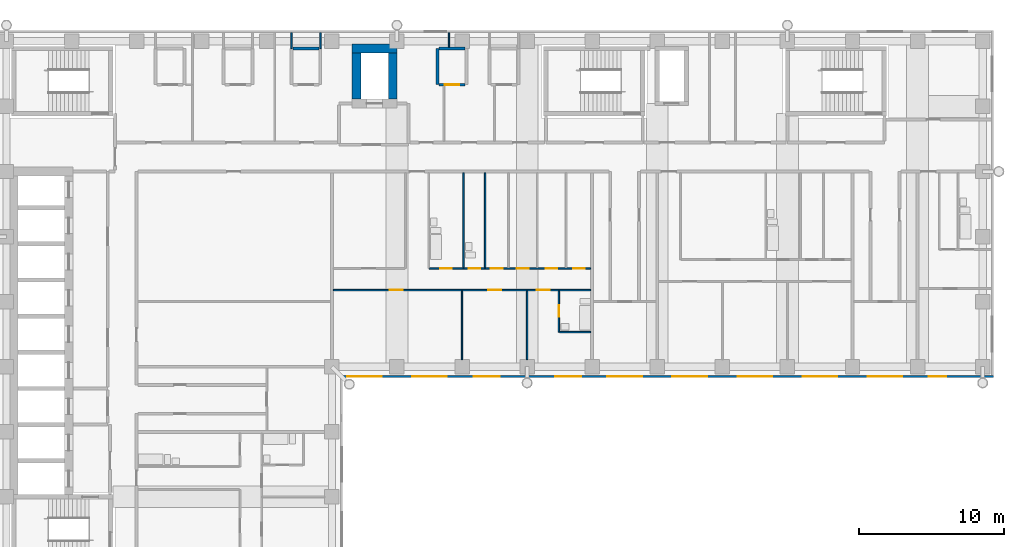
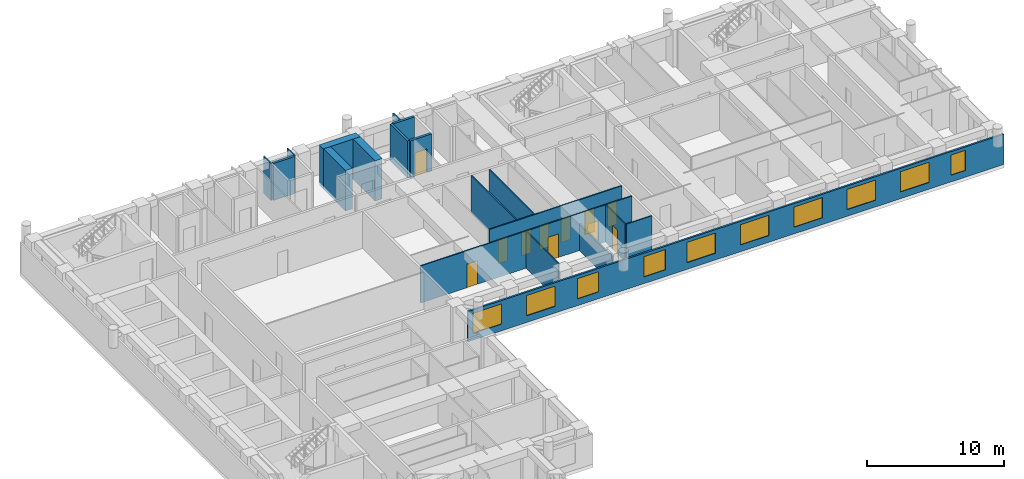
# One storey, part 8 of 14: 19 walls, 11 doors, 10 windows, 21 openings.
"""IFC4 building model written with IfcOpenShell, lengths in metres."""

from ifc_helpers import new_model, si_unit, direction, frame, frame_2d, origin, place, context, subcontext, project, spatial, rectangle, extrude, material, layer, layer_set, type_object, element, fill, save


model = new_model("IFC4")

# Units and contexts
model_context = context("Model", 3, precision=1e-05, world=origin(), true_north=direction((0.0, 1.0)))
body_context = subcontext(model_context, "Body", "Model", "MODEL_VIEW")
ifc_project = project(units=[si_unit("LENGTHUNIT", "METRE"), si_unit("AREAUNIT", "SQUARE_METRE"), si_unit("VOLUMEUNIT", "CUBIC_METRE"), si_unit("PLANEANGLEUNIT", "RADIAN"), si_unit("MASSUNIT", "GRAM", prefix="KILO")], contexts=[model_context])

# Site, building, storey
site_placement = place(None, origin())
site = spatial("IfcSite", under=ifc_project, at=site_placement, CompositionType="ELEMENT")
building_placement = place(site_placement, origin())
building = spatial("IfcBuilding", under=site, at=building_placement, Name="Firuza Court", CompositionType="ELEMENT")
storey_placement = place(building_placement, frame((0.0, 0.0, 159.199951171875)))
storey = spatial("IfcBuildingStorey", under=building, at=storey_placement, Name="L40", CompositionType="ELEMENT", Elevation=159.199951171875)

# Wall, opening, door
ifc_material_1 = material(Name="Moisture-resistant gypsum board partition")
ifc_layer_1 = layer(ifc_material_1, 0.10009765625)
ifc_layer_set_1 = layer_set([ifc_layer_1], Name="Moisture-resistant gypsum board partition")
wall_type_1 = type_object("IfcWallType", Name="Bathroom partition 100", PredefinedType="PLUMBINGWALL", material=ifc_layer_set_1)
wall_1_placement = place(storey_placement, frame((38.199951171875, 38.39990234375, 0.0), z_axis=(0.0, 0.0, 1.0), x_axis=(0.0, 1.0, 0.0)))
wall_1 = element("IfcWall", 1, at=wall_1_placement, inside=storey, type_object=wall_type_1, Name="Bathroom partition 100 L40", PredefinedType="PLUMBINGWALL", context=body_context, shape_type="SweptSolid", body=[
    extrude(rectangle(XDim=2.85009765625, YDim=0.10009765625, at=frame_2d((1.425048828125, 0.0))), origin(), (0.0, 0.0, 1.0), 3.300048828125),
])
opening_1_placement = place(wall_1_placement, frame((1.050048828125, 0.0, 0.0)))
opening_1 = element("IfcOpeningElement", 2, at=opening_1_placement, cuts=wall_1, Name="Opening D40039", PredefinedType="OPENING", context=body_context, shape_type="SweptSolid", body=[
    extrude(rectangle(XDim=0.800048828125, YDim=2.10009765625, at=frame_2d((0.39990234375, 1.050048828125))), frame((0.0, 0.06201171875, 0.0), z_axis=(0.0, -1.0, 0.0), x_axis=(1.0, 0.0, 0.0)), (0.0, 0.0, 1.0), 0.1240234375),
])
ifc_material_2 = material(Name="Timber door leaf in hardwood frame", Category="wood")
door_type_1 = type_object("IfcDoorType", Name="Bathroom door 800", OperationType="SINGLE_SWING_LEFT", PredefinedType="DOOR", material=ifc_material_2)
door_1_placement = place(opening_1_placement, frame((0.800048828125, 0.0, 0.0), z_axis=(0.0, 0.0, 1.0), x_axis=(-1.0, 0.0, 0.0)))
door_1 = element("IfcDoor", 3, at=door_1_placement, inside=storey, type_object=door_type_1, Name="En-suite door", OperationType="SINGLE_SWING_RIGHT", OverallHeight=2.10009765625, OverallWidth=0.800048828125, PredefinedType="DOOR", context=body_context, shape_type="SweptSolid", body=[
    extrude(rectangle(XDim=0.800048828125, YDim=2.10009765625, at=frame_2d((0.39990234375, 1.050048828125))), frame((0.0, 0.02490234375, 0.0), z_axis=(0.0, -1.0, 0.0), x_axis=(1.0, 0.0, 0.0)), (0.0, 0.0, 1.0), 0.050048828125),
])
fill(opening_1, door_1)

# Walls
wall_2_placement = place(storey_placement, frame((38.25, 38.39990234375, 0.0), z_axis=(0.0, 0.0, 1.0), x_axis=(1.0, 0.0, 0.0)))
element("IfcWall", 4, at=wall_2_placement, inside=storey, type_object=wall_type_1, Name="Bathroom partition 100 L40", PredefinedType="PLUMBINGWALL", context=body_context, shape_type="SweptSolid", body=[
    extrude(rectangle(XDim=2.14990234375, YDim=0.10009765625, at=frame_2d((1.074951171875, 0.0))), origin(), (0.0, 0.0, 1.0), 3.300048828125),
])
for number, where, z_axis, x_axis, name in (
    (5, (31.60009765625, 42.85009765625, 0.0), (0.0, 0.0, 1.0), (0.0, 1.0, 0.0), "Bathroom partition 100 L40"),
    (6, (33.10009765625, 42.85009765625, 0.0), (0.0, 0.0, 1.0), (0.0, 1.0, 0.0), "Bathroom partition 100 L40"),
):
    element("IfcWall", number, at=place(storey_placement, frame(where, z_axis=z_axis, x_axis=x_axis)), inside=storey, type_object=wall_type_1, Name=name, PredefinedType="PLUMBINGWALL", context=body_context, shape_type="SweptSolid", body=[
        extrude(rectangle(XDim=6.5498046875, YDim=0.10009765625, at=frame_2d((3.27490234375, 0.0))), origin(), (0.0, 0.0, 1.0), 3.300048828125),
    ])
ifc_material_3 = material(Name="Concrete C60/75", Category="concrete")
ifc_layer_2 = layer(ifc_material_3, 0.60009765625)
ifc_layer_set_2 = layer_set([ifc_layer_2], Name="Concrete C60/75")
wall_type_2 = type_object("IfcWallType", Name="Core wall 600 C60/75", PredefinedType="SHEAR", material=ifc_layer_set_2)
wall_3_placement = place(storey_placement, frame((23.89990234375, 58.0, -0.300048828125), z_axis=(0.0, 0.0, 1.0), x_axis=(1.0, 0.0, 0.0)))
element("IfcWall", 7, at=wall_3_placement, inside=storey, type_object=wall_type_2, Name="Core wall lift shaft L40", PredefinedType="SHEAR", context=body_context, shape_type="SweptSolid", body=[
    extrude(rectangle(XDim=3.10009765625, YDim=0.60009765625, at=frame_2d((1.550048828125, 0.0))), origin(), (0.0, 0.0, 1.0), 3.60009765625),
])
for number, where, z_axis, x_axis, name in (
    (8, (24.199951171875, 54.5, -0.300048828125), (0.0, 0.0, 1.0), (0.0, 1.0, 0.0), "Core wall lift shaft L40"),
    (9, (26.699951171875, 54.5, -0.300048828125), (0.0, 0.0, 1.0), (0.0, 1.0, 0.0), "Core wall lift shaft L40"),
):
    element("IfcWall", number, at=place(storey_placement, frame(where, z_axis=z_axis, x_axis=x_axis)), inside=storey, type_object=wall_type_2, Name=name, PredefinedType="SHEAR", context=body_context, shape_type="SweptSolid", body=[
        extrude(rectangle(XDim=3.199951171875, YDim=0.60009765625, at=frame_2d((1.60009765625, 0.0))), origin(), (0.0, 0.0, 1.0), 3.60009765625),
    ])
ifc_material_4 = material(Name="Timber stud partition, plasterboard both sides", Category="wood")
ifc_layer_3 = layer(ifc_material_4, 0.10009765625)
ifc_layer_set_3 = layer_set([ifc_layer_3], Name="Timber stud partition, plasterboard both sides")
wall_type_3 = type_object("IfcWallType", Name="Partition wall 100", PredefinedType="PARTITIONING", material=ifc_layer_set_3)
wall_4_placement = place(storey_placement, frame((31.5, 36.5, 0.0), z_axis=(0.0, 0.0, 1.0), x_axis=(0.0, 1.0, 0.0)))
element("IfcWall", 10, at=wall_4_placement, inside=storey, type_object=wall_type_3, Name="Partition wall 100 L40", PredefinedType="PARTITIONING", context=body_context, shape_type="SweptSolid", body=[
    extrude(rectangle(XDim=4.75, YDim=0.10009765625, at=frame_2d((2.375, 0.0))), origin(), (0.0, 0.0, 1.0), 3.300048828125),
])
wall_5_placement = place(storey_placement, frame((36.0, 36.5, 0.0), z_axis=(0.0, 0.0, 1.0), x_axis=(0.0, 1.0, 0.0)))
element("IfcWall", 11, at=wall_5_placement, inside=storey, type_object=wall_type_3, Name="Partition wall 100 L40", PredefinedType="PARTITIONING", context=body_context, shape_type="SweptSolid", body=[
    extrude(rectangle(XDim=4.75, YDim=0.10009765625, at=frame_2d((2.375, 0.0))), origin(), (0.0, 0.0, 1.0), 2.400146484375),
])

# Wall, openings, doors
wall_6_placement = place(storey_placement, frame((22.60009765625, 41.300048828125, 0.0), z_axis=(0.0, 0.0, 1.0), x_axis=(1.0, 0.0, 0.0)))
wall_6 = element("IfcWall", 12, at=wall_6_placement, inside=storey, type_object=wall_type_3, Name="Partition wall 100 L40", PredefinedType="PARTITIONING", context=body_context, shape_type="SweptSolid", body=[
    extrude(rectangle(XDim=17.7998046875, YDim=0.10009765625, at=frame_2d((8.89990234375, 0.0))), origin(), (0.0, 0.0, 1.0), 3.300048828125),
])
opening_2_placement = place(wall_6_placement, frame((3.89990234375, 0.0, 0.0)))
opening_2 = element("IfcOpeningElement", 13, at=opening_2_placement, cuts=wall_6, Name="Opening D40046", PredefinedType="OPENING", context=body_context, shape_type="SweptSolid", body=[
    extrude(rectangle(XDim=0.89990234375, YDim=2.10009765625, at=frame_2d((0.449951171875, 1.050048828125))), frame((0.0, 0.06201171875, 0.0), z_axis=(0.0, -1.0, 0.0), x_axis=(1.0, 0.0, 0.0)), (0.0, 0.0, 1.0), 0.1240234375),
])
opening_3_placement = place(wall_6_placement, frame((10.699951171875, 0.0, 0.0)))
opening_3 = element("IfcOpeningElement", 14, at=opening_3_placement, cuts=wall_6, Name="Opening D40047", PredefinedType="OPENING", context=body_context, shape_type="SweptSolid", body=[
    extrude(rectangle(XDim=0.89990234375, YDim=2.10009765625, at=frame_2d((0.449951171875, 1.050048828125))), frame((0.0, 0.06201171875, 0.0), z_axis=(0.0, -1.0, 0.0), x_axis=(1.0, 0.0, 0.0)), (0.0, 0.0, 1.0), 0.1240234375),
])
opening_4_placement = place(wall_6_placement, frame((14.050048828125, 0.0, 0.0)))
opening_4 = element("IfcOpeningElement", 15, at=opening_4_placement, cuts=wall_6, Name="Opening D40048", PredefinedType="OPENING", context=body_context, shape_type="SweptSolid", body=[
    extrude(rectangle(XDim=0.89990234375, YDim=2.10009765625, at=frame_2d((0.449951171875, 1.050048828125))), frame((0.0, 0.06201171875, 0.0), z_axis=(0.0, -1.0, 0.0), x_axis=(1.0, 0.0, 0.0)), (0.0, 0.0, 1.0), 0.1240234375),
])
ifc_material_5 = material(Name="Timber door leaf in hardwood frame", Category="wood")
door_type_2 = type_object("IfcDoorType", Name="Room door 900", OperationType="SINGLE_SWING_LEFT", PredefinedType="DOOR", material=ifc_material_5)
door_2_placement = place(opening_2_placement, frame((0.89990234375, 0.0, 0.0), z_axis=(0.0, 0.0, 1.0), x_axis=(-1.0, 0.0, 0.0)))
door_2 = element("IfcDoor", 16, at=door_2_placement, inside=storey, type_object=door_type_2, Name="Living room door", OperationType="SINGLE_SWING_RIGHT", OverallHeight=2.10009765625, OverallWidth=0.89990234375, PredefinedType="DOOR", context=body_context, shape_type="SweptSolid", body=[
    extrude(rectangle(XDim=0.89990234375, YDim=2.10009765625, at=frame_2d((0.449951171875, 1.050048828125))), frame((0.0, 0.02490234375, 0.0), z_axis=(0.0, -1.0, 0.0), x_axis=(1.0, 0.0, 0.0)), (0.0, 0.0, 1.0), 0.050048828125),
])
fill(opening_2, door_2)
door_3_placement = place(opening_3_placement, frame((0.89990234375, 0.0, 0.0), z_axis=(0.0, 0.0, 1.0), x_axis=(-1.0, 0.0, 0.0)))
door_3 = element("IfcDoor", 17, at=door_3_placement, inside=storey, type_object=door_type_2, Name="Bedroom door", OperationType="SINGLE_SWING_RIGHT", OverallHeight=2.10009765625, OverallWidth=0.89990234375, PredefinedType="DOOR", context=body_context, shape_type="SweptSolid", body=[
    extrude(rectangle(XDim=0.89990234375, YDim=2.10009765625, at=frame_2d((0.449951171875, 1.050048828125))), frame((0.0, 0.02490234375, 0.0), z_axis=(0.0, -1.0, 0.0), x_axis=(1.0, 0.0, 0.0)), (0.0, 0.0, 1.0), 0.050048828125),
])
fill(opening_3, door_3)
door_4_placement = place(opening_4_placement, frame((0.89990234375, 0.0, 0.0), z_axis=(0.0, 0.0, 1.0), x_axis=(-1.0, 0.0, 0.0)))
door_4 = element("IfcDoor", 18, at=door_4_placement, inside=storey, type_object=door_type_2, Name="Bedroom door", OperationType="SINGLE_SWING_RIGHT", OverallHeight=2.10009765625, OverallWidth=0.89990234375, PredefinedType="DOOR", context=body_context, shape_type="SweptSolid", body=[
    extrude(rectangle(XDim=0.89990234375, YDim=2.10009765625, at=frame_2d((0.449951171875, 1.050048828125))), frame((0.0, 0.02490234375, 0.0), z_axis=(0.0, -1.0, 0.0), x_axis=(1.0, 0.0, 0.0)), (0.0, 0.0, 1.0), 0.050048828125),
])
fill(opening_4, door_4)

wall_7_placement = place(storey_placement, frame((29.25, 42.800048828125, 0.0), z_axis=(0.0, 0.0, 1.0), x_axis=(1.0, 0.0, 0.0)))
wall_7 = element("IfcWall", 19, at=wall_7_placement, inside=storey, type_object=wall_type_3, Name="Partition wall 100 L40", PredefinedType="PARTITIONING", context=body_context, shape_type="SweptSolid", body=[
    extrude(rectangle(XDim=11.14990234375, YDim=0.10009765625, at=frame_2d((5.574951171875, 0.0))), origin(), (0.0, 0.0, 1.0), 3.300048828125),
])
opening_5_placement = place(wall_7_placement, frame((0.75, 0.0, 0.0)))
opening_5 = element("IfcOpeningElement", 20, at=opening_5_placement, cuts=wall_7, Name="Opening D40054", PredefinedType="OPENING", context=body_context, shape_type="SweptSolid", body=[
    extrude(rectangle(XDim=0.800048828125, YDim=2.10009765625, at=frame_2d((0.39990234375, 1.050048828125))), frame((0.0, 0.06201171875, 0.0), z_axis=(0.0, -1.0, 0.0), x_axis=(1.0, 0.0, 0.0)), (0.0, 0.0, 1.0), 0.1240234375),
])
opening_6_placement = place(wall_7_placement, frame((8.050048828125, 0.0, 0.0)))
opening_6 = element("IfcOpeningElement", 21, at=opening_6_placement, cuts=wall_7, Name="Opening D40055", PredefinedType="OPENING", context=body_context, shape_type="SweptSolid", body=[
    extrude(rectangle(XDim=0.800048828125, YDim=2.10009765625, at=frame_2d((0.39990234375, 1.050048828125))), frame((0.0, 0.06201171875, 0.0), z_axis=(0.0, -1.0, 0.0), x_axis=(1.0, 0.0, 0.0)), (0.0, 0.0, 1.0), 0.1240234375),
])
opening_7_placement = place(wall_7_placement, frame((4.25, 0.0, 0.0)))
opening_7 = element("IfcOpeningElement", 22, at=opening_7_placement, cuts=wall_7, Name="Opening D40056", PredefinedType="OPENING", context=body_context, shape_type="SweptSolid", body=[
    extrude(rectangle(XDim=0.800048828125, YDim=2.10009765625, at=frame_2d((0.39990234375, 1.050048828125))), frame((0.0, 0.06201171875, 0.0), z_axis=(0.0, -1.0, 0.0), x_axis=(1.0, 0.0, 0.0)), (0.0, 0.0, 1.0), 0.1240234375),
])
opening_8_placement = place(wall_7_placement, frame((6.050048828125, 0.0, 0.0)))
opening_8 = element("IfcOpeningElement", 23, at=opening_8_placement, cuts=wall_7, Name="Opening D40057", PredefinedType="OPENING", context=body_context, shape_type="SweptSolid", body=[
    extrude(rectangle(XDim=0.800048828125, YDim=2.10009765625, at=frame_2d((0.39990234375, 1.050048828125))), frame((0.0, 0.06201171875, 0.0), z_axis=(0.0, -1.0, 0.0), x_axis=(1.0, 0.0, 0.0)), (0.0, 0.0, 1.0), 0.1240234375),
])
opening_9_placement = place(wall_7_placement, frame((9.949951171875, 0.0, 0.0)))
opening_9 = element("IfcOpeningElement", 24, at=opening_9_placement, cuts=wall_7, Name="Opening D40058", PredefinedType="OPENING", context=body_context, shape_type="SweptSolid", body=[
    extrude(rectangle(XDim=0.800048828125, YDim=2.10009765625, at=frame_2d((0.39990234375, 1.050048828125))), frame((0.0, 0.06201171875, 0.0), z_axis=(0.0, -1.0, 0.0), x_axis=(1.0, 0.0, 0.0)), (0.0, 0.0, 1.0), 0.1240234375),
])
opening_10_placement = place(wall_7_placement, frame((2.699951171875, 0.0, 0.0)))
opening_10 = element("IfcOpeningElement", 25, at=opening_10_placement, cuts=wall_7, Name="Opening D40059", PredefinedType="OPENING", context=body_context, shape_type="SweptSolid", body=[
    extrude(rectangle(XDim=0.800048828125, YDim=2.10009765625, at=frame_2d((0.39990234375, 1.050048828125))), frame((0.0, 0.06201171875, 0.0), z_axis=(0.0, -1.0, 0.0), x_axis=(1.0, 0.0, 0.0)), (0.0, 0.0, 1.0), 0.1240234375),
])
door_5_placement = place(opening_5_placement, origin())
door_5 = element("IfcDoor", 26, at=door_5_placement, inside=storey, type_object=door_type_1, Name="Bathroom door", OperationType="SINGLE_SWING_LEFT", OverallHeight=2.10009765625, OverallWidth=0.800048828125, PredefinedType="DOOR", context=body_context, shape_type="SweptSolid", body=[
    extrude(rectangle(XDim=0.800048828125, YDim=2.10009765625, at=frame_2d((0.39990234375, 1.050048828125))), frame((0.0, 0.02490234375, 0.0), z_axis=(0.0, -1.0, 0.0), x_axis=(1.0, 0.0, 0.0)), (0.0, 0.0, 1.0), 0.050048828125),
])
fill(opening_5, door_5)
door_6_placement = place(opening_10_placement, origin())
door_6 = element("IfcDoor", 27, at=door_6_placement, inside=storey, type_object=door_type_1, Name="Powder room door", OperationType="SINGLE_SWING_LEFT", OverallHeight=2.10009765625, OverallWidth=0.800048828125, PredefinedType="DOOR", context=body_context, shape_type="SweptSolid", body=[
    extrude(rectangle(XDim=0.800048828125, YDim=2.10009765625, at=frame_2d((0.39990234375, 1.050048828125))), frame((0.0, 0.02490234375, 0.0), z_axis=(0.0, -1.0, 0.0), x_axis=(1.0, 0.0, 0.0)), (0.0, 0.0, 1.0), 0.050048828125),
])
fill(opening_10, door_6)
ifc_material_6 = material(Name="Timber door leaf in hardwood frame", Category="wood")
door_type_3 = type_object("IfcDoorType", Name="Room door 800", OperationType="SINGLE_SWING_LEFT", PredefinedType="DOOR", material=ifc_material_6)
door_7_placement = place(opening_6_placement, origin())
door_7 = element("IfcDoor", 28, at=door_7_placement, inside=storey, type_object=door_type_3, Name="Pantry door", OperationType="SINGLE_SWING_LEFT", OverallHeight=2.10009765625, OverallWidth=0.800048828125, PredefinedType="DOOR", context=body_context, shape_type="SweptSolid", body=[
    extrude(rectangle(XDim=0.800048828125, YDim=2.10009765625, at=frame_2d((0.39990234375, 1.050048828125))), frame((0.0, 0.02490234375, 0.0), z_axis=(0.0, -1.0, 0.0), x_axis=(1.0, 0.0, 0.0)), (0.0, 0.0, 1.0), 0.050048828125),
])
fill(opening_6, door_7)
door_8_placement = place(opening_7_placement, origin())
door_8 = element("IfcDoor", 29, at=door_8_placement, inside=storey, type_object=door_type_3, Name="Store door", OperationType="SINGLE_SWING_LEFT", OverallHeight=2.10009765625, OverallWidth=0.800048828125, PredefinedType="DOOR", context=body_context, shape_type="SweptSolid", body=[
    extrude(rectangle(XDim=0.800048828125, YDim=2.10009765625, at=frame_2d((0.39990234375, 1.050048828125))), frame((0.0, 0.02490234375, 0.0), z_axis=(0.0, -1.0, 0.0), x_axis=(1.0, 0.0, 0.0)), (0.0, 0.0, 1.0), 0.050048828125),
])
fill(opening_7, door_8)
door_9_placement = place(opening_8_placement, origin())
door_9 = element("IfcDoor", 30, at=door_9_placement, inside=storey, type_object=door_type_3, Name="Utility room door", OperationType="SINGLE_SWING_LEFT", OverallHeight=2.10009765625, OverallWidth=0.800048828125, PredefinedType="DOOR", context=body_context, shape_type="SweptSolid", body=[
    extrude(rectangle(XDim=0.800048828125, YDim=2.10009765625, at=frame_2d((0.39990234375, 1.050048828125))), frame((0.0, 0.02490234375, 0.0), z_axis=(0.0, -1.0, 0.0), x_axis=(1.0, 0.0, 0.0)), (0.0, 0.0, 1.0), 0.050048828125),
])
fill(opening_8, door_9)
door_10_placement = place(opening_9_placement, origin())
door_10 = element("IfcDoor", 31, at=door_10_placement, inside=storey, type_object=door_type_3, Name="Walk-in wardrobe door", OperationType="SINGLE_SWING_LEFT", OverallHeight=2.10009765625, OverallWidth=0.800048828125, PredefinedType="DOOR", context=body_context, shape_type="SweptSolid", body=[
    extrude(rectangle(XDim=0.800048828125, YDim=2.10009765625, at=frame_2d((0.39990234375, 1.050048828125))), frame((0.0, 0.02490234375, 0.0), z_axis=(0.0, -1.0, 0.0), x_axis=(1.0, 0.0, 0.0)), (0.0, 0.0, 1.0), 0.050048828125),
])
fill(opening_9, door_10)

# Walls
for number, where, z_axis, x_axis, name in (
    (32, (19.699951171875, 58.0, 0.0), (0.0, 0.0, 1.0), (0.0, 1.0, 0.0), "Partition wall 100 L40"),
    (33, (21.699951171875, 58.0, 0.0), (0.0, 0.0, 1.0), (0.0, 1.0, 0.0), "Partition wall 100 L40"),
):
    element("IfcWall", number, at=place(storey_placement, frame(where, z_axis=z_axis, x_axis=x_axis)), inside=storey, type_object=wall_type_3, Name=name, PredefinedType="PARTITIONING", context=body_context, shape_type="SweptSolid", body=[
        extrude(rectangle(XDim=1.10009765625, YDim=0.10009765625, at=frame_2d((0.550048828125, 0.0))), origin(), (0.0, 0.0, 1.0), 3.300048828125),
    ])
wall_8_placement = place(storey_placement, frame((30.60009765625, 58.10009765625, 0.0), z_axis=(0.0, 0.0, 1.0), x_axis=(0.0, 1.0, 0.0)))
element("IfcWall", 34, at=wall_8_placement, inside=storey, type_object=wall_type_3, Name="Partition wall 100 L40", PredefinedType="PARTITIONING", context=body_context, shape_type="SweptSolid", body=[
    extrude(rectangle(XDim=1.0, YDim=0.10009765625, at=frame_2d((0.5, 0.0))), origin(), (0.0, 0.0, 1.0), 3.300048828125),
])
ifc_material_7 = material(Name="Blockwork, fire-rated", Category="masonry")
ifc_layer_4 = layer(ifc_material_7, 0.199951171875)
ifc_layer_set_4 = layer_set([ifc_layer_4], Name="Blockwork, fire-rated")
wall_type_4 = type_object("IfcWallType", Name="Plant room wall 200", PredefinedType="PARTITIONING", material=ifc_layer_set_4)
wall_9_placement = place(storey_placement, frame((29.800048828125, 55.5, 0.0), z_axis=(0.0, 0.0, 1.0), x_axis=(0.0, 1.0, 0.0)))
element("IfcWall", 35, at=wall_9_placement, inside=storey, type_object=wall_type_4, Name="Plant room wall 200 L40", PredefinedType="PARTITIONING", context=body_context, shape_type="SweptSolid", body=[
    extrude(rectangle(XDim=2.5, YDim=0.199951171875, at=frame_2d((1.25, 0.0))), origin(), (0.0, 0.0, 1.0), 3.300048828125),
])

# Wall, opening, door
wall_10_placement = place(storey_placement, frame((29.89990234375, 55.5, 0.0), z_axis=(0.0, 0.0, 1.0), x_axis=(1.0, 0.0, 0.0)))
wall_10 = element("IfcWall", 36, at=wall_10_placement, inside=storey, type_object=wall_type_4, Name="Plant room wall 200 L40", PredefinedType="PARTITIONING", context=body_context, shape_type="SweptSolid", body=[
    extrude(rectangle(XDim=1.800048828125, YDim=0.199951171875, at=frame_2d((0.89990234375, 0.0))), origin(), (0.0, 0.0, 1.0), 3.300048828125),
])
opening_11_placement = place(wall_10_placement, frame((0.39990234375, 0.0, 0.0)))
opening_11 = element("IfcOpeningElement", 37, at=opening_11_placement, cuts=wall_10, Name="Opening D40083", PredefinedType="OPENING", context=body_context, shape_type="SweptSolid", body=[
    extrude(rectangle(XDim=1.0, YDim=2.10009765625, at=frame_2d((0.5, 1.050048828125))), frame((0.0, 0.11181640625, 0.0), z_axis=(0.0, -1.0, 0.0), x_axis=(1.0, 0.0, 0.0)), (0.0, 0.0, 1.0), 0.223876953125),
])
ifc_material_8 = material(Name="Timber door leaf in hardwood frame", Category="wood")
door_type_4 = type_object("IfcDoorType", Name="Riser door 1000", OperationType="SINGLE_SWING_LEFT", PredefinedType="DOOR", material=ifc_material_8)
door_11_placement = place(opening_11_placement, origin())
door_11 = element("IfcDoor", 38, at=door_11_placement, inside=storey, type_object=door_type_4, Name="Electrical riser door", OperationType="SINGLE_SWING_LEFT", OverallHeight=2.10009765625, OverallWidth=1.0, PredefinedType="DOOR", context=body_context, shape_type="SweptSolid", body=[
    extrude(rectangle(XDim=1.0, YDim=2.10009765625, at=frame_2d((0.5, 1.050048828125))), frame((0.0, 0.02490234375, 0.0), z_axis=(0.0, -1.0, 0.0), x_axis=(1.0, 0.0, 0.0)), (0.0, 0.0, 1.0), 0.050048828125),
])
fill(opening_11, door_11)

# Walls
for number, where, z_axis, x_axis, name in (
    (39, (19.800048828125, 58.0, 0.0), (0.0, 0.0, 1.0), (1.0, 0.0, 0.0), "Plant room wall 200 L40"),
    (40, (29.89990234375, 58.0, 0.0), (0.0, 0.0, 1.0), (1.0, 0.0, 0.0), "Plant room wall 200 L40"),
):
    element("IfcWall", number, at=place(storey_placement, frame(where, z_axis=z_axis, x_axis=x_axis)), inside=storey, type_object=wall_type_4, Name=name, PredefinedType="PARTITIONING", context=body_context, shape_type="SweptSolid", body=[
        extrude(rectangle(XDim=1.800048828125, YDim=0.199951171875, at=frame_2d((0.89990234375, 0.0))), origin(), (0.0, 0.0, 1.0), 3.300048828125),
    ])

# Wall, openings, windows
ifc_material_9 = material(Name="Ceramic tile", Category="ceramic")
ifc_layer_5 = layer(ifc_material_9, 0.02001953125)
ifc_material_10 = material(Name="Mineral wool insulation", Category="insulation")
ifc_layer_6 = layer(ifc_material_10, 0.050048828125)
ifc_material_11 = material(Name="Concrete C40/50 precast", Category="concrete")
ifc_layer_7 = layer(ifc_material_11, 0.080078125)
ifc_layer_set_5 = layer_set([ifc_layer_5, ifc_layer_6, ifc_layer_7], Name="Concrete C40/50 precast")
wall_type_5 = type_object("IfcWallType", Name="Precast cladding wall with turquoise TILE PANEL face 150", PredefinedType="STANDARD", material=ifc_layer_set_5)
wall_11_placement = place(storey_placement, frame((23.10009765625, 35.324951171875, 0.0), z_axis=(0.0, 0.0, 1.0), x_axis=(1.0, 0.0, 0.0)))
wall_11 = element("IfcWall", 41, at=wall_11_placement, inside=storey, type_object=wall_type_5, Name="Facade wall L40 S", PredefinedType="STANDARD", context=body_context, shape_type="SweptSolid", body=[
    extrude(rectangle(XDim=45.14990234375, YDim=0.14990234375, at=frame_2d((22.574951171875, 0.0))), origin(), (0.0, 0.0, 1.0), 2.699951171875),
])
opening_12_placement = place(wall_11_placement, frame((0.449951171875, 0.0, 0.60009765625)))
opening_12 = element("IfcOpeningElement", 42, at=opening_12_placement, cuts=wall_11, Name="Opening W1", PredefinedType="OPENING", context=body_context, shape_type="SweptSolid", body=[
    extrude(rectangle(XDim=2.39990234375, YDim=1.800048828125, at=frame_2d((1.199951171875, 0.89990234375))), frame((0.0, 0.0869140625, 0.0), z_axis=(0.0, -1.0, 0.0), x_axis=(1.0, 0.0, 0.0)), (0.0, 0.0, 1.0), 0.173828125),
])
opening_13_placement = place(wall_11_placement, frame((4.949951171875, 0.0, 0.60009765625)))
opening_13 = element("IfcOpeningElement", 43, at=opening_13_placement, cuts=wall_11, Name="Opening W1", PredefinedType="OPENING", context=body_context, shape_type="SweptSolid", body=[
    extrude(rectangle(XDim=2.39990234375, YDim=1.800048828125, at=frame_2d((1.199951171875, 0.89990234375))), frame((0.0, 0.0869140625, 0.0), z_axis=(0.0, -1.0, 0.0), x_axis=(1.0, 0.0, 0.0)), (0.0, 0.0, 1.0), 0.173828125),
])
opening_14_placement = place(wall_11_placement, frame((9.219970703125, 0.0, 0.60009765625)))
opening_14 = element("IfcOpeningElement", 44, at=opening_14_placement, cuts=wall_11, Name="Opening W7", PredefinedType="OPENING", context=body_context, shape_type="SweptSolid", body=[
    extrude(rectangle(XDim=1.800048828125, YDim=1.800048828125, at=frame_2d((0.89990234375, 0.89990234375))), frame((0.0, 0.0869140625, 0.0), z_axis=(0.0, -1.0, 0.0), x_axis=(1.0, 0.0, 0.0)), (0.0, 0.0, 1.0), 0.173828125),
])
opening_15_placement = place(wall_11_placement, frame((14.84033203125, 0.0, 0.60009765625)))
opening_15 = element("IfcOpeningElement", 45, at=opening_15_placement, cuts=wall_11, Name="Opening W7", PredefinedType="OPENING", context=body_context, shape_type="SweptSolid", body=[
    extrude(rectangle(XDim=1.800048828125, YDim=1.800048828125, at=frame_2d((0.89990234375, 0.89990234375))), frame((0.0, 0.0869140625, 0.0), z_axis=(0.0, -1.0, 0.0), x_axis=(1.0, 0.0, 0.0)), (0.0, 0.0, 1.0), 0.173828125),
])
opening_16_placement = place(wall_11_placement, frame((18.449951171875, 0.0, 0.60009765625)))
opening_16 = element("IfcOpeningElement", 46, at=opening_16_placement, cuts=wall_11, Name="Opening W1", PredefinedType="OPENING", context=body_context, shape_type="SweptSolid", body=[
    extrude(rectangle(XDim=2.39990234375, YDim=1.800048828125, at=frame_2d((1.199951171875, 0.89990234375))), frame((0.0, 0.0869140625, 0.0), z_axis=(0.0, -1.0, 0.0), x_axis=(1.0, 0.0, 0.0)), (0.0, 0.0, 1.0), 0.173828125),
])
opening_17_placement = place(wall_11_placement, frame((22.949951171875, 0.0, 0.60009765625)))
opening_17 = element("IfcOpeningElement", 47, at=opening_17_placement, cuts=wall_11, Name="Opening W1", PredefinedType="OPENING", context=body_context, shape_type="SweptSolid", body=[
    extrude(rectangle(XDim=2.39990234375, YDim=1.800048828125, at=frame_2d((1.199951171875, 0.89990234375))), frame((0.0, 0.0869140625, 0.0), z_axis=(0.0, -1.0, 0.0), x_axis=(1.0, 0.0, 0.0)), (0.0, 0.0, 1.0), 0.173828125),
])
opening_18_placement = place(wall_11_placement, frame((27.449951171875, 0.0, 0.60009765625)))
opening_18 = element("IfcOpeningElement", 48, at=opening_18_placement, cuts=wall_11, Name="Opening W1", PredefinedType="OPENING", context=body_context, shape_type="SweptSolid", body=[
    extrude(rectangle(XDim=2.39990234375, YDim=1.800048828125, at=frame_2d((1.199951171875, 0.89990234375))), frame((0.0, 0.0869140625, 0.0), z_axis=(0.0, -1.0, 0.0), x_axis=(1.0, 0.0, 0.0)), (0.0, 0.0, 1.0), 0.173828125),
])
opening_19_placement = place(wall_11_placement, frame((31.949951171875, 0.0, 0.60009765625)))
opening_19 = element("IfcOpeningElement", 49, at=opening_19_placement, cuts=wall_11, Name="Opening W1", PredefinedType="OPENING", context=body_context, shape_type="SweptSolid", body=[
    extrude(rectangle(XDim=2.39990234375, YDim=1.800048828125, at=frame_2d((1.199951171875, 0.89990234375))), frame((0.0, 0.0869140625, 0.0), z_axis=(0.0, -1.0, 0.0), x_axis=(1.0, 0.0, 0.0)), (0.0, 0.0, 1.0), 0.173828125),
])
opening_20_placement = place(wall_11_placement, frame((36.449951171875, 0.0, 0.60009765625)))
opening_20 = element("IfcOpeningElement", 50, at=opening_20_placement, cuts=wall_11, Name="Opening W1", PredefinedType="OPENING", context=body_context, shape_type="SweptSolid", body=[
    extrude(rectangle(XDim=2.39990234375, YDim=1.800048828125, at=frame_2d((1.199951171875, 0.89990234375))), frame((0.0, 0.0869140625, 0.0), z_axis=(0.0, -1.0, 0.0), x_axis=(1.0, 0.0, 0.0)), (0.0, 0.0, 1.0), 0.173828125),
])
opening_21_placement = place(wall_11_placement, frame((40.688720703125, 0.0, 0.60009765625)))
opening_21 = element("IfcOpeningElement", 51, at=opening_21_placement, cuts=wall_11, Name="Opening W8", PredefinedType="OPENING", context=body_context, shape_type="SweptSolid", body=[
    extrude(rectangle(XDim=1.199951171875, YDim=1.800048828125, at=frame_2d((0.60009765625, 0.89990234375))), frame((0.0, 0.0869140625, 0.0), z_axis=(0.0, -1.0, 0.0), x_axis=(1.0, 0.0, 0.0)), (0.0, 0.0, 1.0), 0.173828125),
])
ifc_material_12 = material(Name="Aluminium frame, triple clear glazing", Category="aluminium")
window_type_1 = type_object("IfcWindowType", Name="Window W1 2400 x 1800", PartitioningType="SINGLE_PANEL", PredefinedType="WINDOW", material=ifc_material_12)
window_1_placement = place(opening_12_placement, origin())
window_1 = element("IfcWindow", 52, at=window_1_placement, inside=storey, type_object=window_type_1, Name="Window L40", OverallHeight=1.800048828125, OverallWidth=2.39990234375, PartitioningType="SINGLE_PANEL", PredefinedType="WINDOW", context=body_context, shape_type="SweptSolid", body=[
    extrude(rectangle(XDim=2.39990234375, YDim=1.800048828125, at=frame_2d((1.199951171875, 0.89990234375))), frame((0.0, 0.030029296875, 0.0), z_axis=(0.0, -1.0, 0.0), x_axis=(1.0, 0.0, 0.0)), (0.0, 0.0, 1.0), 0.06005859375),
])
fill(opening_12, window_1)
window_2_placement = place(opening_13_placement, origin())
window_2 = element("IfcWindow", 53, at=window_2_placement, inside=storey, type_object=window_type_1, Name="Window L40", OverallHeight=1.800048828125, OverallWidth=2.39990234375, PartitioningType="SINGLE_PANEL", PredefinedType="WINDOW", context=body_context, shape_type="SweptSolid", body=[
    extrude(rectangle(XDim=2.39990234375, YDim=1.800048828125, at=frame_2d((1.199951171875, 0.89990234375))), frame((0.0, 0.030029296875, 0.0), z_axis=(0.0, -1.0, 0.0), x_axis=(1.0, 0.0, 0.0)), (0.0, 0.0, 1.0), 0.06005859375),
])
fill(opening_13, window_2)
window_3_placement = place(opening_16_placement, origin())
window_3 = element("IfcWindow", 54, at=window_3_placement, inside=storey, type_object=window_type_1, Name="Window L40", OverallHeight=1.800048828125, OverallWidth=2.39990234375, PartitioningType="SINGLE_PANEL", PredefinedType="WINDOW", context=body_context, shape_type="SweptSolid", body=[
    extrude(rectangle(XDim=2.39990234375, YDim=1.800048828125, at=frame_2d((1.199951171875, 0.89990234375))), frame((0.0, 0.030029296875, 0.0), z_axis=(0.0, -1.0, 0.0), x_axis=(1.0, 0.0, 0.0)), (0.0, 0.0, 1.0), 0.06005859375),
])
fill(opening_16, window_3)
window_4_placement = place(opening_17_placement, origin())
window_4 = element("IfcWindow", 55, at=window_4_placement, inside=storey, type_object=window_type_1, Name="Window L40", OverallHeight=1.800048828125, OverallWidth=2.39990234375, PartitioningType="SINGLE_PANEL", PredefinedType="WINDOW", context=body_context, shape_type="SweptSolid", body=[
    extrude(rectangle(XDim=2.39990234375, YDim=1.800048828125, at=frame_2d((1.199951171875, 0.89990234375))), frame((0.0, 0.030029296875, 0.0), z_axis=(0.0, -1.0, 0.0), x_axis=(1.0, 0.0, 0.0)), (0.0, 0.0, 1.0), 0.06005859375),
])
fill(opening_17, window_4)
window_5_placement = place(opening_18_placement, origin())
window_5 = element("IfcWindow", 56, at=window_5_placement, inside=storey, type_object=window_type_1, Name="Window L40", OverallHeight=1.800048828125, OverallWidth=2.39990234375, PartitioningType="SINGLE_PANEL", PredefinedType="WINDOW", context=body_context, shape_type="SweptSolid", body=[
    extrude(rectangle(XDim=2.39990234375, YDim=1.800048828125, at=frame_2d((1.199951171875, 0.89990234375))), frame((0.0, 0.030029296875, 0.0), z_axis=(0.0, -1.0, 0.0), x_axis=(1.0, 0.0, 0.0)), (0.0, 0.0, 1.0), 0.06005859375),
])
fill(opening_18, window_5)
window_6_placement = place(opening_19_placement, origin())
window_6 = element("IfcWindow", 57, at=window_6_placement, inside=storey, type_object=window_type_1, Name="Window L40", OverallHeight=1.800048828125, OverallWidth=2.39990234375, PartitioningType="SINGLE_PANEL", PredefinedType="WINDOW", context=body_context, shape_type="SweptSolid", body=[
    extrude(rectangle(XDim=2.39990234375, YDim=1.800048828125, at=frame_2d((1.199951171875, 0.89990234375))), frame((0.0, 0.030029296875, 0.0), z_axis=(0.0, -1.0, 0.0), x_axis=(1.0, 0.0, 0.0)), (0.0, 0.0, 1.0), 0.06005859375),
])
fill(opening_19, window_6)
window_7_placement = place(opening_20_placement, origin())
window_7 = element("IfcWindow", 58, at=window_7_placement, inside=storey, type_object=window_type_1, Name="Window L40", OverallHeight=1.800048828125, OverallWidth=2.39990234375, PartitioningType="SINGLE_PANEL", PredefinedType="WINDOW", context=body_context, shape_type="SweptSolid", body=[
    extrude(rectangle(XDim=2.39990234375, YDim=1.800048828125, at=frame_2d((1.199951171875, 0.89990234375))), frame((0.0, 0.030029296875, 0.0), z_axis=(0.0, -1.0, 0.0), x_axis=(1.0, 0.0, 0.0)), (0.0, 0.0, 1.0), 0.06005859375),
])
fill(opening_20, window_7)
ifc_material_13 = material(Name="Aluminium frame, triple clear glazing", Category="aluminium")
window_type_2 = type_object("IfcWindowType", Name="Window W7 1800 x 1800", PartitioningType="SINGLE_PANEL", PredefinedType="WINDOW", material=ifc_material_13)
window_8_placement = place(opening_14_placement, origin())
window_8 = element("IfcWindow", 59, at=window_8_placement, inside=storey, type_object=window_type_2, Name="Window L40", OverallHeight=1.800048828125, OverallWidth=1.800048828125, PartitioningType="SINGLE_PANEL", PredefinedType="WINDOW", context=body_context, shape_type="SweptSolid", body=[
    extrude(rectangle(XDim=1.800048828125, YDim=1.800048828125, at=frame_2d((0.89990234375, 0.89990234375))), frame((0.0, 0.030029296875, 0.0), z_axis=(0.0, -1.0, 0.0), x_axis=(1.0, 0.0, 0.0)), (0.0, 0.0, 1.0), 0.06005859375),
])
fill(opening_14, window_8)
window_9_placement = place(opening_15_placement, origin())
window_9 = element("IfcWindow", 60, at=window_9_placement, inside=storey, type_object=window_type_2, Name="Window L40", OverallHeight=1.800048828125, OverallWidth=1.800048828125, PartitioningType="SINGLE_PANEL", PredefinedType="WINDOW", context=body_context, shape_type="SweptSolid", body=[
    extrude(rectangle(XDim=1.800048828125, YDim=1.800048828125, at=frame_2d((0.89990234375, 0.89990234375))), frame((0.0, 0.030029296875, 0.0), z_axis=(0.0, -1.0, 0.0), x_axis=(1.0, 0.0, 0.0)), (0.0, 0.0, 1.0), 0.06005859375),
])
fill(opening_15, window_9)
ifc_material_14 = material(Name="Aluminium frame, triple clear glazing", Category="aluminium")
window_type_3 = type_object("IfcWindowType", Name="Window W8 1200 x 1800", PartitioningType="SINGLE_PANEL", PredefinedType="WINDOW", material=ifc_material_14)
window_10_placement = place(opening_21_placement, origin())
window_10 = element("IfcWindow", 61, at=window_10_placement, inside=storey, type_object=window_type_3, Name="Window L40", OverallHeight=1.800048828125, OverallWidth=1.199951171875, PartitioningType="SINGLE_PANEL", PredefinedType="WINDOW", context=body_context, shape_type="SweptSolid", body=[
    extrude(rectangle(XDim=1.199951171875, YDim=1.800048828125, at=frame_2d((0.60009765625, 0.89990234375))), frame((0.0, 0.030029296875, 0.0), z_axis=(0.0, -1.0, 0.0), x_axis=(1.0, 0.0, 0.0)), (0.0, 0.0, 1.0), 0.06005859375),
])
fill(opening_21, window_10)

save(model, "model.ifc")
